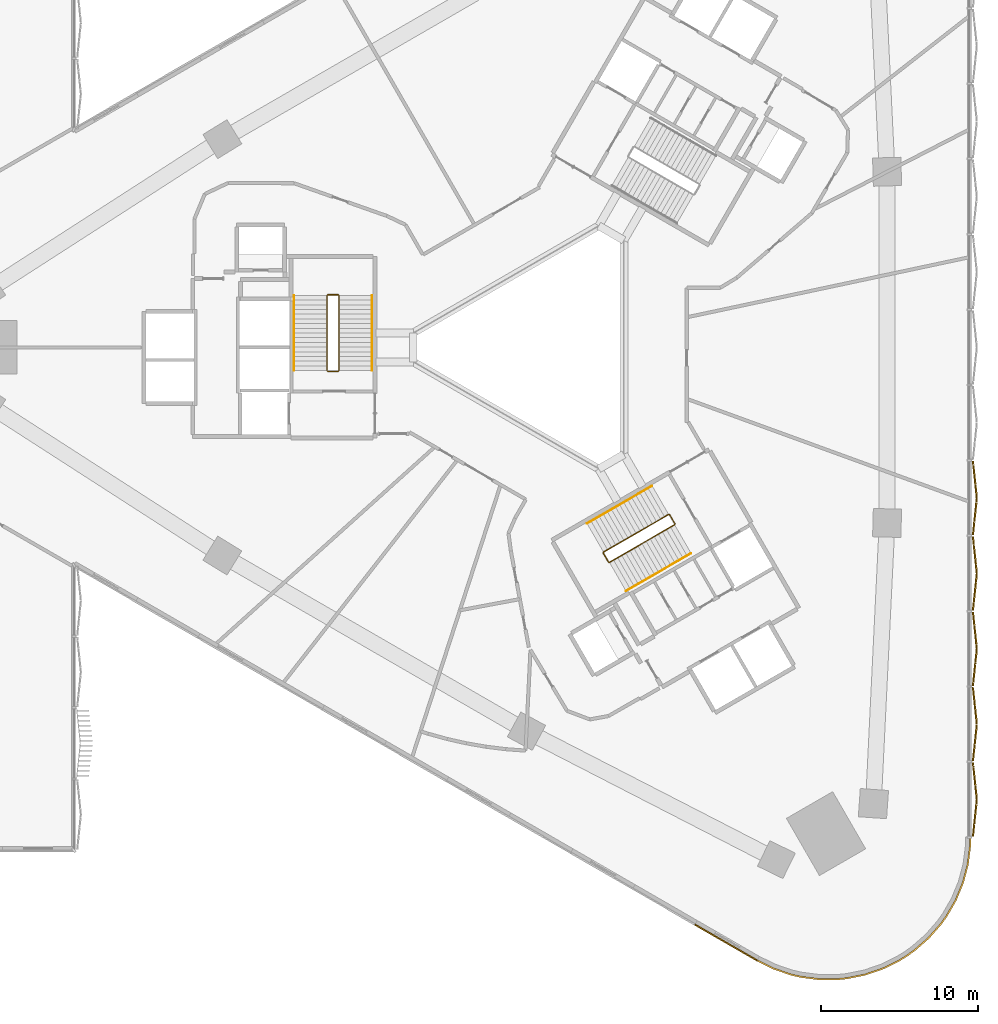
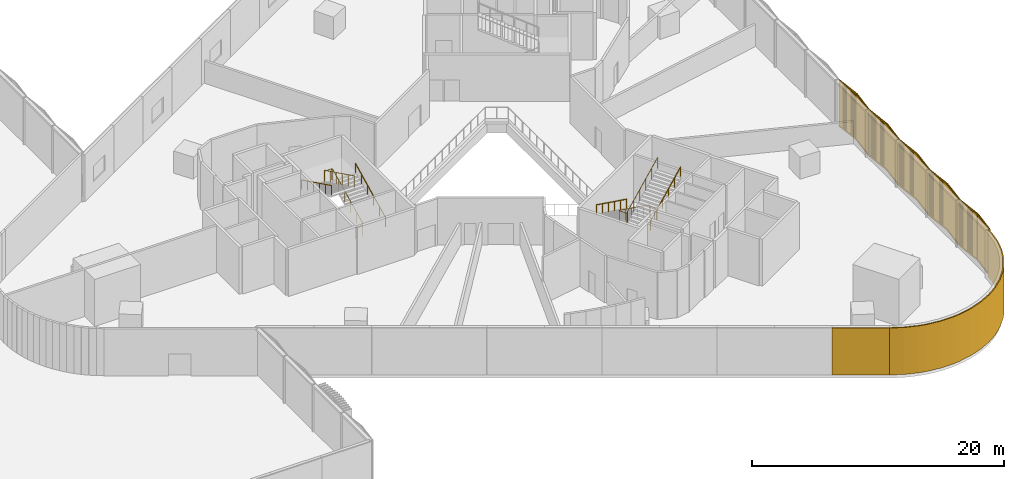
# One storey, part 21 of 24: 7 coverings, 6 railings.
"""IFC4 building model written with IfcOpenShell, lengths in metres."""

from ifc_helpers import new_model, si_unit, direction, frame, frame_2d, origin, origin_2d, place, context, subcontext, project, spatial, polyline, rectangle, circle, outline, extrude, source, transform, mapped, material, layer, layer_set, type_object, element, save


model = new_model("IFC4")

# Units and contexts
model_context = context("Model", 3, precision=1e-05, world=origin(), true_north=direction((0.0, 1.0)))
body_context = subcontext(model_context, "Body", "Model", "MODEL_VIEW")
ifc_project = project(units=[si_unit("LENGTHUNIT", "METRE"), si_unit("AREAUNIT", "SQUARE_METRE"), si_unit("VOLUMEUNIT", "CUBIC_METRE"), si_unit("PLANEANGLEUNIT", "RADIAN"), si_unit("MASSUNIT", "GRAM", prefix="KILO")], contexts=[model_context])

# Site, building, storey
site_placement = place(None, origin())
site = spatial("IfcSite", under=ifc_project, at=site_placement, CompositionType="ELEMENT")
building_placement = place(site_placement, origin())
building = spatial("IfcBuilding", under=site, at=building_placement, Name="Tamra Quay Hotel Tower", CompositionType="ELEMENT")
storey_placement = place(building_placement, frame((0.0, 0.0, 19.5)))
storey = spatial("IfcBuildingStorey", under=building, at=storey_placement, Name="L03", CompositionType="ELEMENT", Elevation=19.5)

# Coverings
ifc_material_1 = material(Name="Precast concrete M60 terracotta-coloured pierced relief", Category="masonry")
ifc_layer = layer(ifc_material_1, 0.10009765625)
ifc_layer_set = layer_set([ifc_layer], Name="PIERCED RELIEF PANEL 100")
covering_type_1 = type_object("IfcCoveringType", Name="PIERCED RELIEF PANEL 100", PredefinedType="CLADDING", material=ifc_layer_set)
covering_1_placement = place(storey_placement, frame((11.497802734375, -37.872802734375, 0.0), z_axis=(0.0, 0.0, 1.0), x_axis=(0.866025403784, -0.5, 0.0)))
element("IfcCovering", 1, at=covering_1_placement, inside=storey, type_object=covering_type_1, Name="Relief panel L03.SW.10", PredefinedType="CLADDING", context=body_context, shape_type="SweptSolid", body=[
    extrude(rectangle(XDim=4.54638671875, YDim=0.10009765625, at=origin_2d()), origin(), (0.0, 0.0, 1.0), 4.550048828125),
])
covering_2_placement = place(storey_placement, origin())
element("IfcCovering", 2, at=covering_2_placement, inside=storey, type_object=covering_type_1, Name="Relief panel L03.c1", PredefinedType="CLADDING", context=body_context, shape_type="SweptSolid", body=[
    extrude(outline(polyline([(13.5, -38.97119140625), (14.555908203125, -39.491943359375), (15.670654296875, -39.870361328125), (16.244140625, -40.00390625), (17.411376953125, -40.15771484375), (18.588623046875, -40.15771484375), (19.1748046875, -40.099853515625), (20.329345703125, -39.870361328125), (21.444091796875, -39.491943359375), (22.5, -38.97119140625), (23.000244140625, -38.66015625), (23.478759765625, -38.317138671875), (24.364013671875, -37.540771484375), (25.14013671875, -36.65576171875), (25.483154296875, -36.177001953125), (26.07177734375, -35.157470703125), (26.5224609375, -34.06982421875), (26.8271484375, -32.9326171875), (26.980712890625, -31.765625), (27.0, -31.177001953125), (27.099853515625, -31.18017578125), (27.080322265625, -31.773681640625), (26.925048828125, -32.9521484375), (26.616943359375, -34.10205078125), (26.16162109375, -35.20166015625), (25.5673828125, -36.231201171875), (25.218505859375, -36.718017578125), (24.4345703125, -37.611572265625), (23.541015625, -38.3955078125), (23.0556640625, -38.743408203125), (22.548583984375, -39.05859375), (21.482421875, -39.584228515625), (20.355224609375, -39.966796875), (19.189453125, -40.19873046875), (18.593505859375, -40.257568359375), (17.40478515625, -40.25732421875), (16.226318359375, -40.102294921875), (15.64306640625, -39.96630859375), (14.517578125, -39.584228515625), (13.455810546875, -39.060791015625), (13.5, -38.97119140625)])), origin(), (0.0, 0.0, 1.0), 4.550048828125),
])

# Railings
ifc_material_2 = material(Name="Stair guard 1100")
railing_type_1 = type_object("IfcRailingType", Name="Stair guard 1100", PredefinedType="GUARDRAIL", material=ifc_material_2)
railing_1_placement = place(storey_placement, frame((-13.84130859375, -1.530029296875, 0.0)))
element("IfcRailing", 3, at=railing_1_placement, inside=storey, type_object=railing_type_1, Name="GR", PredefinedType="GUARDRAIL", context=body_context, shape_type="SweptSolid", body=[
    extrude(circle(Radius=0.02392578125, at=origin_2d()), frame((0.0, 0.0, 1.076171875), z_axis=(1.0, 0.0, 0.0), x_axis=(0.0, 1.0, 0.0)), (0.0, 0.0, 1.0), 0.658935546875),
    extrude(circle(Radius=0.02392578125, at=origin_2d()), frame((0.658935546875, 0.0, 1.076171875), z_axis=(0.306807167972, 0.306807167972, 0.900965439605), x_axis=(-0.707106781187, 0.707106781187, 0.0)), (0.0, 0.0, 1.0), 0.1630859375),
    extrude(circle(Radius=0.02392578125, at=origin_2d()), frame((0.708984375, 0.050048828125, 1.22314453125), z_axis=(0.0, 0.897329748911, 0.441360761419), x_axis=(-1.0, 0.0, 0.0)), (0.0, 0.0, 1.0), 5.331298828125),
    extrude(circle(Radius=0.02392578125, at=origin_2d()), frame((0.708984375, 4.833984375, 3.576171875), z_axis=(-0.707106781187, 0.707106781187, 0.0), x_axis=(-0.707106781187, -0.707106781187, 0.0)), (0.0, 0.0, 1.0), 0.07080078125),
    extrude(circle(Radius=0.02392578125, at=origin_2d()), frame((0.658935546875, 4.884033203125, 3.576171875), z_axis=(-1.0, 0.0, 0.0), x_axis=(0.0, -1.0, 0.0)), (0.0, 0.0, 1.0), 0.658935546875),
    extrude(circle(Radius=0.02392578125, at=origin_2d()), frame((0.0, 4.884033203125, 3.576171875), z_axis=(-0.306807167972, -0.306807167972, 0.900965439605), x_axis=(0.707106781187, -0.707106781187, 0.0)), (0.0, 0.0, 1.0), 0.1630859375),
    extrude(circle(Radius=0.02392578125, at=origin_2d()), frame((-0.050048828125, 4.833984375, 3.72314453125), z_axis=(0.0, -0.897329748911, 0.441360761419), x_axis=(1.0, 0.0, 0.0)), (0.0, 0.0, 1.0), 5.331298828125),
    extrude(circle(Radius=0.02099609375, at=origin_2d()), origin(), (0.0, 0.0, 1.0), 1.052001953125),
    extrude(circle(Radius=0.02099609375, at=origin_2d()), frame((0.658935546875, 0.0, 0.0)), (0.0, 0.0, 1.0), 1.052001953125),
    extrude(circle(Radius=0.02099609375, at=origin_2d()), frame((0.708984375, 0.050048828125, 0.14697265625)), (0.0, 0.0, 1.0), 1.052001953125),
    extrude(circle(Radius=0.02099609375, at=origin_2d()), frame((0.708984375, 1.0068359375, 0.61767578125)), (0.0, 0.0, 1.0), 1.052001953125),
    extrude(circle(Radius=0.02099609375, at=origin_2d()), frame((0.708984375, 1.963623046875, 1.088134765625)), (0.0, 0.0, 1.0), 1.052001953125),
    extrude(circle(Radius=0.02099609375, at=origin_2d()), frame((0.708984375, 2.92041015625, 1.558837890625)), (0.0, 0.0, 1.0), 1.052001953125),
    extrude(circle(Radius=0.02099609375, at=origin_2d()), frame((0.708984375, 3.877197265625, 2.029296875)), (0.0, 0.0, 1.0), 1.052001953125),
    extrude(circle(Radius=0.02099609375, at=origin_2d()), frame((0.708984375, 4.833984375, 2.5)), (0.0, 0.0, 1.0), 1.052001953125),
    extrude(circle(Radius=0.02099609375, at=origin_2d()), frame((0.658935546875, 4.884033203125, 2.5)), (0.0, 0.0, 1.0), 1.052001953125),
    extrude(circle(Radius=0.02099609375, at=origin_2d()), frame((0.0, 4.884033203125, 2.5)), (0.0, 0.0, 1.0), 1.052001953125),
    extrude(circle(Radius=0.02099609375, at=origin_2d()), frame((-0.050048828125, 4.833984375, 2.64697265625)), (0.0, 0.0, 1.0), 1.052001953125),
    extrude(circle(Radius=0.02099609375, at=origin_2d()), frame((-0.050048828125, 3.877197265625, 3.11767578125)), (0.0, 0.0, 1.0), 1.052001953125),
    extrude(circle(Radius=0.02099609375, at=origin_2d()), frame((-0.050048828125, 2.92041015625, 3.588134765625)), (0.0, 0.0, 1.0), 1.052001953125),
    extrude(circle(Radius=0.02099609375, at=origin_2d()), frame((-0.050048828125, 1.963623046875, 4.058837890625)), (0.0, 0.0, 1.0), 1.052001953125),
    extrude(circle(Radius=0.02099609375, at=origin_2d()), frame((-0.050048828125, 1.0068359375, 4.529296875)), (0.0, 0.0, 1.0), 1.052001953125),
    extrude(circle(Radius=0.02099609375, at=origin_2d()), frame((-0.050048828125, 0.050048828125, 5.0)), (0.0, 0.0, 1.0), 1.052001953125),
])
railing_2_placement = place(storey_placement, frame((8.245849609375, -11.221923828125, 0.0)))
element("IfcRailing", 4, at=railing_2_placement, inside=storey, type_object=railing_type_1, Name="GR", PredefinedType="GUARDRAIL", context=body_context, shape_type="SweptSolid", body=[
    extrude(circle(Radius=0.02392578125, at=origin_2d()), frame((0.0, 0.0, 1.076171875), z_axis=(-0.500043078269, 0.866000531106, 0.0), x_axis=(-0.866000531106, -0.500043078269, 0.0)), (0.0, 0.0, 1.0), 0.6591796875),
    extrude(circle(Radius=0.02392578125, at=origin_2d()), frame((-0.32958984375, 0.57080078125, 1.076171875), z_axis=(-0.419065426167, 0.112249667723, 0.90099066626), x_axis=(-0.258736085224, -0.965948051503, 0.0)), (0.0, 0.0, 1.0), 0.1630859375),
    extrude(circle(Radius=0.02392578125, at=origin_2d()), frame((-0.39794921875, 0.589111328125, 1.22314453125), z_axis=(-0.777106586887, -0.448679454232, 0.441352580107), x_axis=(0.500014005679, -0.866017317451, 0.0)), (0.0, 0.0, 1.0), 5.331298828125),
    extrude(circle(Radius=0.02392578125, at=origin_2d()), frame((-4.541015625, -1.802978515625, 3.576171875), z_axis=(-0.258736085224, -0.965948051503, 0.0), x_axis=(0.965948051503, -0.258736085224, 0.0)), (0.0, 0.0, 1.0), 0.07080078125),
    extrude(circle(Radius=0.02392578125, at=origin_2d()), frame((-4.559326171875, -1.871337890625, 3.576171875), z_axis=(0.500203519255, -0.865907869998, 0.0), x_axis=(0.865907869998, 0.500203519255, 0.0)), (0.0, 0.0, 1.0), 0.658935546875),
    extrude(circle(Radius=0.02392578125, at=origin_2d()), frame((-4.229736328125, -2.44189453125, 3.576171875), z_axis=(0.419065426167, -0.112249667723, 0.90099066626), x_axis=(0.258736085224, 0.965948051503, 0.0)), (0.0, 0.0, 1.0), 0.1630859375),
    extrude(circle(Radius=0.02392578125, at=origin_2d()), frame((-4.161376953125, -2.460205078125, 3.72314453125), z_axis=(0.777106586887, 0.448679454232, 0.441352580107), x_axis=(-0.500014005679, 0.866017317451, 0.0)), (0.0, 0.0, 1.0), 5.331298828125),
    extrude(circle(Radius=0.02099609375, at=origin_2d()), origin(), (0.0, 0.0, 1.0), 1.052001953125),
    extrude(circle(Radius=0.02099609375, at=origin_2d()), frame((-0.32958984375, 0.57080078125, 0.0)), (0.0, 0.0, 1.0), 1.052001953125),
    extrude(circle(Radius=0.02099609375, at=origin_2d()), frame((-0.39794921875, 0.589111328125, 0.14697265625)), (0.0, 0.0, 1.0), 1.052001953125),
    extrude(circle(Radius=0.02099609375, at=origin_2d()), frame((-1.2265625, 0.110595703125, 0.61767578125)), (0.0, 0.0, 1.0), 1.052001953125),
    extrude(circle(Radius=0.02099609375, at=origin_2d()), frame((-2.05517578125, -0.36767578125, 1.088134765625)), (0.0, 0.0, 1.0), 1.052001953125),
    extrude(circle(Radius=0.02099609375, at=origin_2d()), frame((-2.8837890625, -0.84619140625, 1.558837890625)), (0.0, 0.0, 1.0), 1.052001953125),
    extrude(circle(Radius=0.02099609375, at=origin_2d()), frame((-3.71240234375, -1.324462890625, 2.029296875)), (0.0, 0.0, 1.0), 1.052001953125),
    extrude(circle(Radius=0.02099609375, at=origin_2d()), frame((-4.541015625, -1.802978515625, 2.5)), (0.0, 0.0, 1.0), 1.052001953125),
    extrude(circle(Radius=0.02099609375, at=origin_2d()), frame((-4.559326171875, -1.871337890625, 2.5)), (0.0, 0.0, 1.0), 1.052001953125),
    extrude(circle(Radius=0.02099609375, at=origin_2d()), frame((-4.229736328125, -2.44189453125, 2.5)), (0.0, 0.0, 1.0), 1.052001953125),
    extrude(circle(Radius=0.02099609375, at=origin_2d()), frame((-4.161376953125, -2.460205078125, 2.64697265625)), (0.0, 0.0, 1.0), 1.052001953125),
    extrude(circle(Radius=0.02099609375, at=origin_2d()), frame((-3.332763671875, -1.981689453125, 3.11767578125)), (0.0, 0.0, 1.0), 1.052001953125),
    extrude(circle(Radius=0.02099609375, at=origin_2d()), frame((-2.504150390625, -1.50341796875, 3.588134765625)), (0.0, 0.0, 1.0), 1.052001953125),
    extrude(circle(Radius=0.02099609375, at=origin_2d()), frame((-1.675537109375, -1.02490234375, 4.058837890625)), (0.0, 0.0, 1.0), 1.052001953125),
    extrude(circle(Radius=0.02099609375, at=origin_2d()), frame((-0.846923828125, -0.546630859375, 4.529296875)), (0.0, 0.0, 1.0), 1.052001953125),
    extrude(circle(Radius=0.02099609375, at=origin_2d()), frame((-0.018310546875, -0.068115234375, 5.0)), (0.0, 0.0, 1.0), 1.052001953125),
])
ifc_material_3 = material(Name="Stair handrail 900")
railing_type_2 = type_object("IfcRailingType", Name="Stair handrail 900", PredefinedType="HANDRAIL", material=ifc_material_3)
railing_3_placement = place(storey_placement, frame((-11.0322265625, -1.47998046875, 0.14697265625)))
element("IfcRailing", 5, at=railing_3_placement, inside=storey, type_object=railing_type_2, Name="HR", PredefinedType="HANDRAIL", context=body_context, shape_type="SweptSolid", body=[
    extrude(circle(Radius=0.02392578125, at=origin_2d()), frame((0.0, 0.0, 0.8759765625), z_axis=(0.0, 0.897329748911, 0.441360761419), x_axis=(-1.0, 0.0, 0.0)), (0.0, 0.0, 1.0), 5.331298828125),
    extrude(circle(Radius=0.02099609375, at=origin_2d()), origin(), (0.0, 0.0, 1.0), 0.851806640625),
    extrude(circle(Radius=0.02099609375, at=origin_2d()), frame((0.0, 0.956787109375, 0.470703125)), (0.0, 0.0, 1.0), 0.851806640625),
    extrude(circle(Radius=0.02099609375, at=origin_2d()), frame((0.0, 1.91357421875, 0.941162109375)), (0.0, 0.0, 1.0), 0.851806640625),
    extrude(circle(Radius=0.02099609375, at=origin_2d()), frame((0.0, 2.870361328125, 1.411865234375)), (0.0, 0.0, 1.0), 0.851806640625),
    extrude(circle(Radius=0.02099609375, at=origin_2d()), frame((0.0, 3.8271484375, 1.88232421875)), (0.0, 0.0, 1.0), 0.851806640625),
    extrude(circle(Radius=0.02099609375, at=origin_2d()), frame((0.0, 4.783935546875, 2.35302734375)), (0.0, 0.0, 1.0), 0.851806640625),
])
railing_4_placement = place(storey_placement, frame((-15.9912109375, 3.303955078125, 2.64697265625)))
element("IfcRailing", 6, at=railing_4_placement, inside=storey, type_object=railing_type_2, Name="HR", PredefinedType="HANDRAIL", context=body_context, shape_type="SweptSolid", body=[
    extrude(circle(Radius=0.02392578125, at=origin_2d()), frame((0.0, 0.0, 0.8759765625), z_axis=(0.0, -0.897329748911, 0.441360761419), x_axis=(1.0, 0.0, 0.0)), (0.0, 0.0, 1.0), 5.331298828125),
    extrude(circle(Radius=0.02099609375, at=origin_2d()), origin(), (0.0, 0.0, 1.0), 0.851806640625),
    extrude(circle(Radius=0.02099609375, at=origin_2d()), frame((0.0, -0.956787109375, 0.470703125)), (0.0, 0.0, 1.0), 0.851806640625),
    extrude(circle(Radius=0.02099609375, at=origin_2d()), frame((0.0, -1.91357421875, 0.941162109375)), (0.0, 0.0, 1.0), 0.851806640625),
    extrude(circle(Radius=0.02099609375, at=origin_2d()), frame((0.0, -2.870361328125, 1.411865234375)), (0.0, 0.0, 1.0), 0.851806640625),
    extrude(circle(Radius=0.02099609375, at=origin_2d()), frame((0.0, -3.8271484375, 1.88232421875)), (0.0, 0.0, 1.0), 0.851806640625),
    extrude(circle(Radius=0.02099609375, at=origin_2d()), frame((0.0, -4.783935546875, 2.35302734375)), (0.0, 0.0, 1.0), 0.851806640625),
])
railing_5_placement = place(storey_placement, frame((6.7978515625, -8.814208984375, 0.14697265625)))
element("IfcRailing", 7, at=railing_5_placement, inside=storey, type_object=railing_type_2, Name="HR", PredefinedType="HANDRAIL", context=body_context, shape_type="SweptSolid", body=[
    extrude(circle(Radius=0.02392578125, at=origin_2d()), frame((0.0, 0.0, 0.8759765625), z_axis=(-0.777106586887, -0.448679454232, 0.441352580107), x_axis=(0.500014005679, -0.866017317451, 0.0)), (0.0, 0.0, 1.0), 5.331298828125),
    extrude(circle(Radius=0.02099609375, at=origin_2d()), origin(), (0.0, 0.0, 1.0), 0.851806640625),
    extrude(circle(Radius=0.02099609375, at=origin_2d()), frame((-0.82861328125, -0.478515625, 0.470703125)), (0.0, 0.0, 1.0), 0.851806640625),
    extrude(circle(Radius=0.02099609375, at=origin_2d()), frame((-1.6572265625, -0.956787109375, 0.941162109375)), (0.0, 0.0, 1.0), 0.851806640625),
    extrude(circle(Radius=0.02099609375, at=origin_2d()), frame((-2.48583984375, -1.435302734375, 1.411865234375)), (0.0, 0.0, 1.0), 0.851806640625),
    extrude(circle(Radius=0.02099609375, at=origin_2d()), frame((-3.314453125, -1.91357421875, 1.88232421875)), (0.0, 0.0, 1.0), 0.851806640625),
    extrude(circle(Radius=0.02099609375, at=origin_2d()), frame((-4.14306640625, -2.39208984375, 2.35302734375)), (0.0, 0.0, 1.0), 0.851806640625),
])
railing_6_placement = place(storey_placement, frame((5.13427734375, -15.500732421875, 2.64697265625)))
element("IfcRailing", 8, at=railing_6_placement, inside=storey, type_object=railing_type_2, Name="HR", PredefinedType="HANDRAIL", context=body_context, shape_type="SweptSolid", body=[
    extrude(circle(Radius=0.02392578125, at=origin_2d()), frame((0.0, 0.0, 0.8759765625), z_axis=(0.777122553277, 0.448642878872, 0.441361648113), x_axis=(-0.49997573074, 0.866039415195, 0.0)), (0.0, 0.0, 1.0), 5.331298828125),
    extrude(circle(Radius=0.02099609375, at=origin_2d()), origin(), (0.0, 0.0, 1.0), 0.851806640625),
    extrude(circle(Radius=0.02099609375, at=origin_2d()), frame((0.82861328125, 0.478271484375, 0.470703125)), (0.0, 0.0, 1.0), 0.851806640625),
    extrude(circle(Radius=0.02099609375, at=origin_2d()), frame((1.6572265625, 0.956787109375, 0.941162109375)), (0.0, 0.0, 1.0), 0.851806640625),
    extrude(circle(Radius=0.02099609375, at=origin_2d()), frame((2.48583984375, 1.43505859375, 1.411865234375)), (0.0, 0.0, 1.0), 0.851806640625),
    extrude(circle(Radius=0.02099609375, at=origin_2d()), frame((3.314453125, 1.91357421875, 1.88232421875)), (0.0, 0.0, 1.0), 0.851806640625),
    extrude(circle(Radius=0.02099609375, at=origin_2d()), frame((4.14306640625, 2.391845703125, 2.35302734375)), (0.0, 0.0, 1.0), 0.851806640625),
])

# Coverings
ifc_material_4 = material(Name="Terracotta baguette extruded", Category="masonry")
covering_type_2 = type_object("IfcCoveringType", Name="BAGUETTE SCREEN PODIUM-SHALLOW H4550", PredefinedType="USERDEFINED", material=ifc_material_4)
shared_shape = source(origin(), body_context, "Body", "SweptSolid", [
    extrude(rectangle(XDim=2.365478515625, YDim=0.06005859375, at=frame_2d((1.1826171875, 0.030029296875))), frame((-2.35888671875, -0.0576171875, -0.1201171875), z_axis=(0.0, 0.0, 1.0), x_axis=(0.994521895368, -0.104528463268, 0.0)), (0.0, 0.0, 1.0), 0.1201171875),
    extrude(rectangle(XDim=2.365478515625, YDim=0.06005859375, at=frame_2d((1.1826171875, 0.030029296875))), frame((-2.35888671875, -0.0576171875, -4.550048828125), z_axis=(0.0, 0.0, 1.0), x_axis=(0.994521895368, -0.104528463268, 0.0)), (0.0, 0.0, 1.0), 0.1201171875),
    extrude(rectangle(XDim=0.094970703125, YDim=0.10009765625, at=frame_2d((0.04736328125, 0.050048828125))), frame((-2.35107421875, -0.133056640625, -4.489990234375)), (0.0, 0.0, 1.0), 4.429931640625),
    extrude(rectangle(XDim=0.094970703125, YDim=0.10009765625, at=frame_2d((0.04736328125, 0.050048828125))), frame((-2.2529296875, -0.1435546875, -4.489990234375)), (0.0, 0.0, 1.0), 4.429931640625),
    extrude(rectangle(XDim=0.094970703125, YDim=0.10009765625, at=frame_2d((0.04736328125, 0.050048828125))), frame((-2.155029296875, -0.15380859375, -4.489990234375)), (0.0, 0.0, 1.0), 4.429931640625),
    extrude(rectangle(XDim=0.094970703125, YDim=0.10009765625, at=frame_2d((0.04736328125, 0.050048828125))), frame((-2.056884765625, -0.1640625, -4.489990234375)), (0.0, 0.0, 1.0), 4.429931640625),
    extrude(rectangle(XDim=0.094970703125, YDim=0.10009765625, at=frame_2d((0.04736328125, 0.050048828125))), frame((-1.958984375, -0.17431640625, -4.489990234375)), (0.0, 0.0, 1.0), 4.429931640625),
    extrude(rectangle(XDim=0.094970703125, YDim=0.10009765625, at=frame_2d((0.04736328125, 0.050048828125))), frame((-1.86083984375, -0.1845703125, -4.489990234375)), (0.0, 0.0, 1.0), 4.429931640625),
    extrude(rectangle(XDim=0.094970703125, YDim=0.10009765625, at=frame_2d((0.04736328125, 0.050048828125))), frame((-1.762939453125, -0.195068359375, -4.489990234375)), (0.0, 0.0, 1.0), 4.429931640625),
    extrude(rectangle(XDim=0.094970703125, YDim=0.10009765625, at=frame_2d((0.04736328125, 0.050048828125))), frame((-1.664794921875, -0.205322265625, -4.489990234375)), (0.0, 0.0, 1.0), 4.429931640625),
    extrude(rectangle(XDim=0.094970703125, YDim=0.10009765625, at=frame_2d((0.04736328125, 0.050048828125))), frame((-1.56689453125, -0.215576171875, -4.489990234375)), (0.0, 0.0, 1.0), 4.429931640625),
    extrude(rectangle(XDim=0.094970703125, YDim=0.10009765625, at=frame_2d((0.04736328125, 0.050048828125))), frame((-1.46875, -0.225830078125, -4.489990234375)), (0.0, 0.0, 1.0), 4.429931640625),
    extrude(rectangle(XDim=0.094970703125, YDim=0.10009765625, at=frame_2d((0.04736328125, 0.050048828125))), frame((-1.370849609375, -0.236083984375, -4.489990234375)), (0.0, 0.0, 1.0), 4.429931640625),
    extrude(rectangle(XDim=0.094970703125, YDim=0.10009765625, at=frame_2d((0.04736328125, 0.050048828125))), frame((-1.272705078125, -0.24658203125, -4.489990234375)), (0.0, 0.0, 1.0), 4.429931640625),
    extrude(rectangle(XDim=0.094970703125, YDim=0.10009765625, at=frame_2d((0.04736328125, 0.050048828125))), frame((-1.1748046875, -0.2568359375, -4.489990234375)), (0.0, 0.0, 1.0), 4.429931640625),
    extrude(rectangle(XDim=0.094970703125, YDim=0.10009765625, at=frame_2d((0.04736328125, 0.050048828125))), frame((-1.07666015625, -0.26708984375, -4.489990234375)), (0.0, 0.0, 1.0), 4.429931640625),
    extrude(rectangle(XDim=0.094970703125, YDim=0.10009765625, at=frame_2d((0.04736328125, 0.050048828125))), frame((-0.978759765625, -0.27734375, -4.489990234375)), (0.0, 0.0, 1.0), 4.429931640625),
    extrude(rectangle(XDim=0.094970703125, YDim=0.10009765625, at=frame_2d((0.04736328125, 0.050048828125))), frame((-0.880615234375, -0.28759765625, -4.489990234375)), (0.0, 0.0, 1.0), 4.429931640625),
    extrude(rectangle(XDim=0.094970703125, YDim=0.10009765625, at=frame_2d((0.04736328125, 0.050048828125))), frame((-0.78271484375, -0.298095703125, -4.489990234375)), (0.0, 0.0, 1.0), 4.429931640625),
    extrude(rectangle(XDim=0.094970703125, YDim=0.10009765625, at=frame_2d((0.04736328125, 0.050048828125))), frame((-0.6845703125, -0.308349609375, -4.489990234375)), (0.0, 0.0, 1.0), 4.429931640625),
    extrude(rectangle(XDim=0.094970703125, YDim=0.10009765625, at=frame_2d((0.04736328125, 0.050048828125))), frame((-0.586669921875, -0.318603515625, -4.489990234375)), (0.0, 0.0, 1.0), 4.429931640625),
    extrude(rectangle(XDim=0.094970703125, YDim=0.10009765625, at=frame_2d((0.04736328125, 0.050048828125))), frame((-0.488525390625, -0.328857421875, -4.489990234375)), (0.0, 0.0, 1.0), 4.429931640625),
    extrude(rectangle(XDim=0.094970703125, YDim=0.10009765625, at=frame_2d((0.04736328125, 0.050048828125))), frame((-0.390625, -0.339111328125, -4.489990234375)), (0.0, 0.0, 1.0), 4.429931640625),
    extrude(rectangle(XDim=0.094970703125, YDim=0.10009765625, at=frame_2d((0.04736328125, 0.050048828125))), frame((-0.29248046875, -0.349609375, -4.489990234375)), (0.0, 0.0, 1.0), 4.429931640625),
    extrude(rectangle(XDim=0.094970703125, YDim=0.10009765625, at=frame_2d((0.04736328125, 0.050048828125))), frame((-0.194580078125, -0.35986328125, -4.489990234375)), (0.0, 0.0, 1.0), 4.429931640625),
    extrude(rectangle(XDim=0.094970703125, YDim=0.10009765625, at=frame_2d((0.04736328125, 0.050048828125))), frame((-0.096435546875, -0.3701171875, -4.489990234375)), (0.0, 0.0, 1.0), 4.429931640625),
    extrude(rectangle(XDim=2.365478515625, YDim=0.06005859375, at=frame_2d((1.1826171875, 0.030029296875))), frame((0.00634765625, -0.304931640625, -0.1201171875), z_axis=(0.0, 0.0, 1.0), x_axis=(0.994521895368, 0.104528463268, 0.0)), (0.0, 0.0, 1.0), 0.1201171875),
    extrude(rectangle(XDim=2.365478515625, YDim=0.06005859375, at=frame_2d((1.1826171875, 0.030029296875))), frame((0.00634765625, -0.304931640625, -4.550048828125), z_axis=(0.0, 0.0, 1.0), x_axis=(0.994521895368, 0.104528463268, 0.0)), (0.0, 0.0, 1.0), 0.1201171875),
    extrude(rectangle(XDim=0.094970703125, YDim=0.10009765625, at=frame_2d((0.04736328125, 0.050048828125))), frame((0.00146484375, -0.3701171875, -4.489990234375)), (0.0, 0.0, 1.0), 4.429931640625),
    extrude(rectangle(XDim=0.094970703125, YDim=0.10009765625, at=frame_2d((0.04736328125, 0.050048828125))), frame((0.099609375, -0.35986328125, -4.489990234375)), (0.0, 0.0, 1.0), 4.429931640625),
    extrude(rectangle(XDim=0.094970703125, YDim=0.10009765625, at=frame_2d((0.04736328125, 0.050048828125))), frame((0.197509765625, -0.349609375, -4.489990234375)), (0.0, 0.0, 1.0), 4.429931640625),
    extrude(rectangle(XDim=0.094970703125, YDim=0.10009765625, at=frame_2d((0.04736328125, 0.050048828125))), frame((0.295654296875, -0.339111328125, -4.489990234375)), (0.0, 0.0, 1.0), 4.429931640625),
    extrude(rectangle(XDim=0.094970703125, YDim=0.10009765625, at=frame_2d((0.04736328125, 0.050048828125))), frame((0.3935546875, -0.328857421875, -4.489990234375)), (0.0, 0.0, 1.0), 4.429931640625),
    extrude(rectangle(XDim=0.094970703125, YDim=0.10009765625, at=frame_2d((0.04736328125, 0.050048828125))), frame((0.49169921875, -0.318603515625, -4.489990234375)), (0.0, 0.0, 1.0), 4.429931640625),
    extrude(rectangle(XDim=0.094970703125, YDim=0.10009765625, at=frame_2d((0.04736328125, 0.050048828125))), frame((0.589599609375, -0.308349609375, -4.489990234375)), (0.0, 0.0, 1.0), 4.429931640625),
    extrude(rectangle(XDim=0.094970703125, YDim=0.10009765625, at=frame_2d((0.04736328125, 0.050048828125))), frame((0.687744140625, -0.298095703125, -4.489990234375)), (0.0, 0.0, 1.0), 4.429931640625),
    extrude(rectangle(XDim=0.094970703125, YDim=0.10009765625, at=frame_2d((0.04736328125, 0.050048828125))), frame((0.78564453125, -0.28759765625, -4.489990234375)), (0.0, 0.0, 1.0), 4.429931640625),
    extrude(rectangle(XDim=0.094970703125, YDim=0.10009765625, at=frame_2d((0.04736328125, 0.050048828125))), frame((0.8837890625, -0.27734375, -4.489990234375)), (0.0, 0.0, 1.0), 4.429931640625),
    extrude(rectangle(XDim=0.094970703125, YDim=0.10009765625, at=frame_2d((0.04736328125, 0.050048828125))), frame((0.981689453125, -0.26708984375, -4.489990234375)), (0.0, 0.0, 1.0), 4.429931640625),
    extrude(rectangle(XDim=0.094970703125, YDim=0.10009765625, at=frame_2d((0.04736328125, 0.050048828125))), frame((1.079833984375, -0.2568359375, -4.489990234375)), (0.0, 0.0, 1.0), 4.429931640625),
    extrude(rectangle(XDim=0.094970703125, YDim=0.10009765625, at=frame_2d((0.04736328125, 0.050048828125))), frame((1.177734375, -0.24658203125, -4.489990234375)), (0.0, 0.0, 1.0), 4.429931640625),
    extrude(rectangle(XDim=0.094970703125, YDim=0.10009765625, at=frame_2d((0.04736328125, 0.050048828125))), frame((1.27587890625, -0.236083984375, -4.489990234375)), (0.0, 0.0, 1.0), 4.429931640625),
    extrude(rectangle(XDim=0.094970703125, YDim=0.10009765625, at=frame_2d((0.04736328125, 0.050048828125))), frame((1.373779296875, -0.225830078125, -4.489990234375)), (0.0, 0.0, 1.0), 4.429931640625),
    extrude(rectangle(XDim=0.094970703125, YDim=0.10009765625, at=frame_2d((0.04736328125, 0.050048828125))), frame((1.471923828125, -0.215576171875, -4.489990234375)), (0.0, 0.0, 1.0), 4.429931640625),
    extrude(rectangle(XDim=0.094970703125, YDim=0.10009765625, at=frame_2d((0.04736328125, 0.050048828125))), frame((1.56982421875, -0.205322265625, -4.489990234375)), (0.0, 0.0, 1.0), 4.429931640625),
    extrude(rectangle(XDim=0.094970703125, YDim=0.10009765625, at=frame_2d((0.04736328125, 0.050048828125))), frame((1.66796875, -0.195068359375, -4.489990234375)), (0.0, 0.0, 1.0), 4.429931640625),
    extrude(rectangle(XDim=0.094970703125, YDim=0.10009765625, at=frame_2d((0.04736328125, 0.050048828125))), frame((1.765869140625, -0.1845703125, -4.489990234375)), (0.0, 0.0, 1.0), 4.429931640625),
    extrude(rectangle(XDim=0.094970703125, YDim=0.10009765625, at=frame_2d((0.04736328125, 0.050048828125))), frame((1.864013671875, -0.17431640625, -4.489990234375)), (0.0, 0.0, 1.0), 4.429931640625),
    extrude(rectangle(XDim=0.094970703125, YDim=0.10009765625, at=frame_2d((0.04736328125, 0.050048828125))), frame((1.9619140625, -0.1640625, -4.489990234375)), (0.0, 0.0, 1.0), 4.429931640625),
    extrude(rectangle(XDim=0.094970703125, YDim=0.10009765625, at=frame_2d((0.04736328125, 0.050048828125))), frame((2.06005859375, -0.15380859375, -4.489990234375)), (0.0, 0.0, 1.0), 4.429931640625),
    extrude(rectangle(XDim=0.094970703125, YDim=0.10009765625, at=frame_2d((0.04736328125, 0.050048828125))), frame((2.157958984375, -0.1435546875, -4.489990234375)), (0.0, 0.0, 1.0), 4.429931640625),
    extrude(rectangle(XDim=0.094970703125, YDim=0.10009765625, at=frame_2d((0.04736328125, 0.050048828125))), frame((2.256103515625, -0.133056640625, -4.489990234375)), (0.0, 0.0, 1.0), 4.429931640625),
])
for number, where, z_axis, x_axis, name in (
    (9, (27.14794921875, -28.77880859375, 4.550048828125), (0.0, 0.0, 1.0), (0.0, 1.0, 0.0), "Baguette screen L03.E.f04"),
    (10, (27.14794921875, -23.982177734375, 4.550048828125), (0.0, 0.0, 1.0), (0.0, 1.0, 0.0), "Baguette screen L03.E.f05"),
    (11, (27.14794921875, -19.185791015625, 4.550048828125), (0.0, 0.0, 1.0), (0.0, 1.0, 0.0), "Baguette screen L03.E.f06"),
    (12, (27.14794921875, -14.389404296875, 4.550048828125), (0.0, 0.0, 1.0), (0.0, 1.0, 0.0), "Baguette screen L03.E.f07"),
    (13, (27.14794921875, -9.593017578125, 4.550048828125), (0.0, 0.0, 1.0), (0.0, 1.0, 0.0), "Baguette screen L03.E.f08"),
):
    element("IfcCovering", number, at=place(storey_placement, frame(where, z_axis=z_axis, x_axis=x_axis)), inside=storey, type_object=covering_type_2, Name=name, ObjectType="BAGUETTE SCREEN", PredefinedType="USERDEFINED", context=body_context, shape_type="MappedRepresentation", body=[
        mapped(shared_shape, transform((0.0, 0.0, 0.0), scale=1.0)),
    ])

save(model, "model.ifc")
